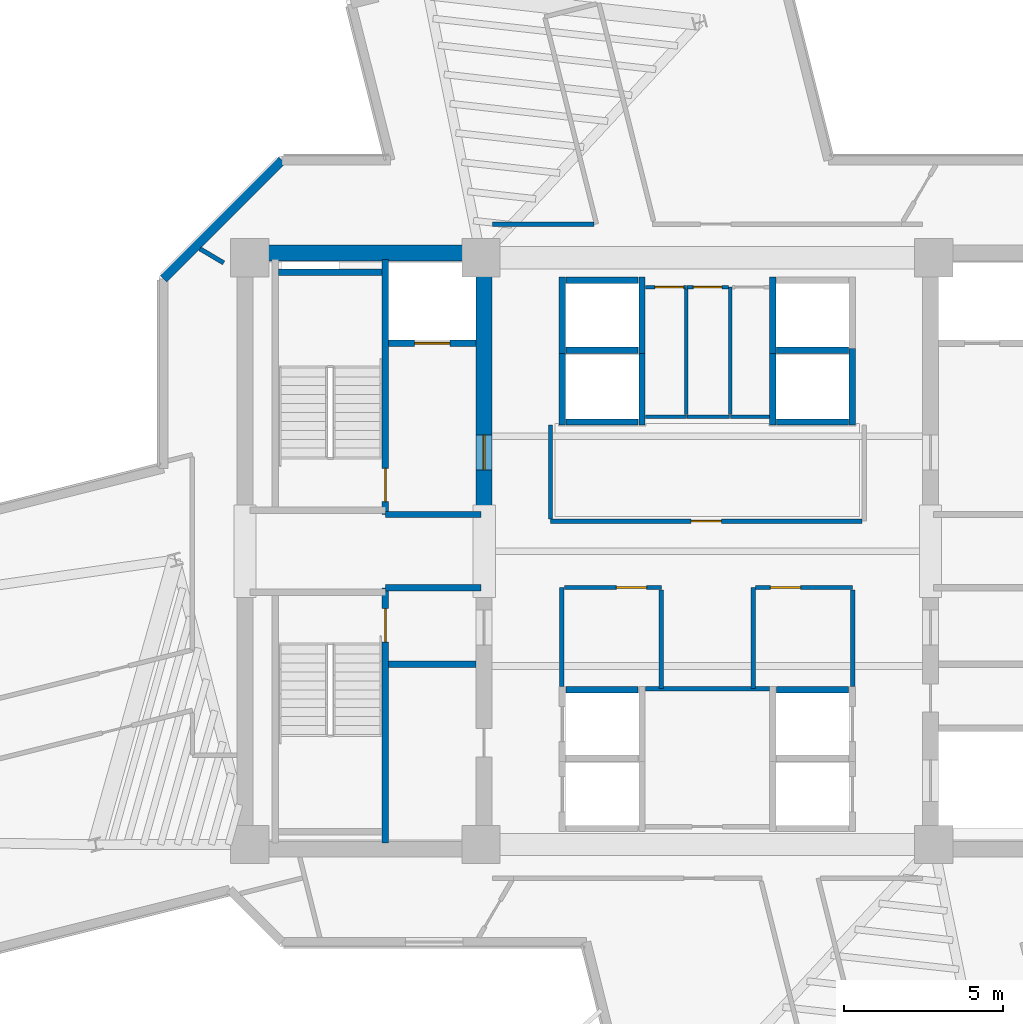
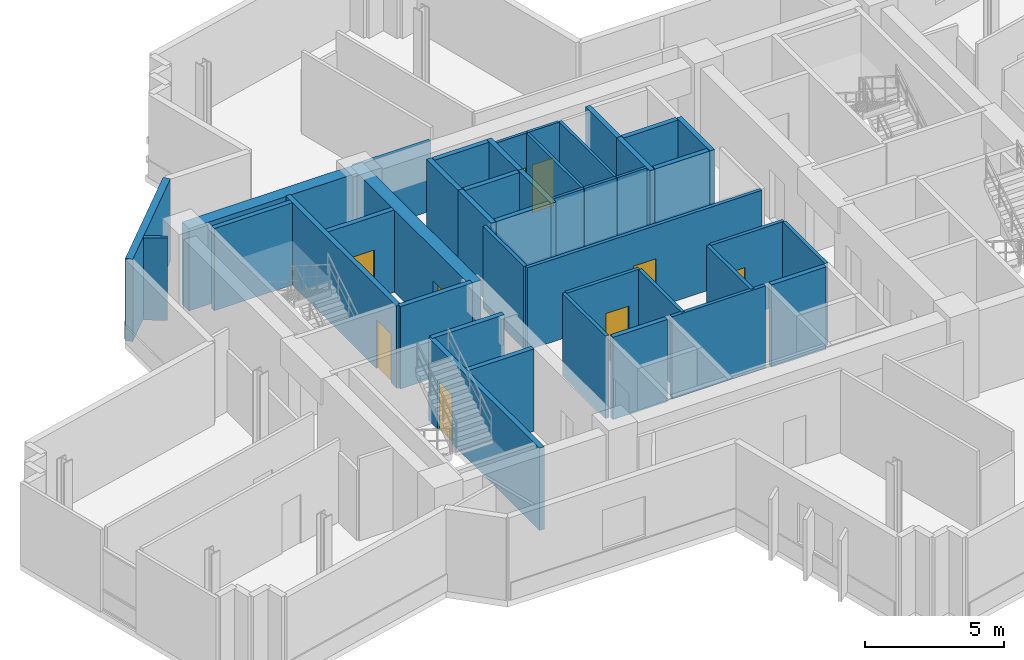
# One storey, part 7 of 13: 42 walls, 9 doors, 9 openings.
"""IFC4 building model written with IfcOpenShell, lengths in metres."""

from ifc_helpers import new_model, si_unit, direction, frame, frame_2d, origin, place, context, subcontext, project, spatial, rectangle, extrude, source, transform, mapped, material, layer, layer_set, type_object, element, fill, save


model = new_model("IFC4")

# Units and contexts
model_context = context("Model", 3, precision=1e-05, world=origin(), true_north=direction((0.0, 1.0)))
body_context = subcontext(model_context, "Body", "Model", "MODEL_VIEW")
ifc_project = project(units=[si_unit("LENGTHUNIT", "METRE"), si_unit("AREAUNIT", "SQUARE_METRE"), si_unit("VOLUMEUNIT", "CUBIC_METRE"), si_unit("PLANEANGLEUNIT", "RADIAN"), si_unit("MASSUNIT", "GRAM", prefix="KILO")], contexts=[model_context])

# Site, building, storey
site_placement = place(None, origin())
site = spatial("IfcSite", under=ifc_project, at=site_placement, CompositionType="ELEMENT")
building_placement = place(site_placement, origin())
building = spatial("IfcBuilding", under=site, at=building_placement, Name="Zahravan Cultural Tower", CompositionType="ELEMENT")
storey_placement = place(building_placement, frame((0.0, 0.0, 186.300048828125)))
storey = spatial("IfcBuildingStorey", under=building, at=storey_placement, Name="L43", CompositionType="ELEMENT", Elevation=186.300048828125)

# Wall, opening, door
ifc_material_1 = material(Name="Concrete C60/75", Category="concrete")
ifc_layer_1 = layer(ifc_material_1, 0.5)
ifc_layer_set_1 = layer_set([ifc_layer_1], Name="Concrete C60/75")
wall_type_1 = type_object("IfcWallType", Name="CW-SHEAR-500-C60", PredefinedType="SHEAR", material=ifc_layer_set_1)
wall_1_placement = place(storey_placement, frame((29.0, 28.050048828125, 0.0), z_axis=(0.0, 0.0, 1.0), x_axis=(0.0, 1.0, 0.0)))
wall_1 = element("IfcWall", 1, at=wall_1_placement, inside=storey, type_object=wall_type_1, Name="L43 Core Shear Wall CW-W-EN-L43", PredefinedType="SHEAR", context=body_context, shape_type="SweptSolid", body=[
    extrude(rectangle(XDim=8.550048828125, YDim=0.5, at=frame_2d((4.27490234375, 0.0))), origin(), (0.0, 0.0, 1.0), 3.619873046875),
])
opening_1_placement = place(wall_1_placement, frame((1.5, 0.0, 0.0)))
opening_1 = element("IfcOpeningElement", 2, at=opening_1_placement, cuts=wall_1, Name="Opening D-L43-05", PredefinedType="OPENING", context=body_context, shape_type="SweptSolid", body=[
    extrude(rectangle(XDim=1.10009765625, YDim=2.199951171875, at=frame_2d((0.550048828125, 1.10009765625))), frame((0.0, 0.260009765625, 0.0), z_axis=(0.0, -1.0, 0.0), x_axis=(1.0, 0.0, 0.0)), (0.0, 0.0, 1.0), 0.52001953125),
])
ifc_material_2 = material(Name="Steel ASTM A572 Grade 50", Category="steel")
door_type_1 = type_object("IfcDoorType", Name="DR-LOBBY-1100", OperationType="NOTDEFINED", PredefinedType="DOOR", material=ifc_material_2)
shared_shape_1 = source(origin(), body_context, "Body", "SweptSolid", [
    extrude(rectangle(XDim=1.10009765625, YDim=2.199951171875, at=frame_2d((0.550048828125, 1.10009765625))), frame((0.0, 0.02490234375, 0.0), z_axis=(0.0, -1.0, 0.0), x_axis=(1.0, 0.0, 0.0)), (0.0, 0.0, 1.0), 0.050048828125),
])
door_1_placement = place(opening_1_placement, origin())
door_1 = element("IfcDoor", 3, at=door_1_placement, inside=storey, type_object=door_type_1, Name="L43 Door D-L43-05", OperationType="SINGLE_SWING_LEFT", OverallHeight=2.199951171875, OverallWidth=1.10009765625, PredefinedType="DOOR", context=body_context, shape_type="MappedRepresentation", body=[
    mapped(shared_shape_1, transform((0.0, 0.0, 0.0), x_axis=(1.0, 0.0, 0.0), y_axis=(0.0, 1.0, 0.0), z_axis=(0.0, 0.0, 1.0), scale=1.0)),
])
fill(opening_1, door_1)

ifc_material_3 = material(Name="Gypsum plasterboard partition")
ifc_layer_2 = layer(ifc_material_3, 0.139892578125)
ifc_layer_set_2 = layer_set([ifc_layer_2], Name="Gypsum plasterboard partition")
wall_type_2 = type_object("IfcWallType", Name="W-PART-140", PredefinedType="PARTITIONING", material=ifc_layer_set_2)
wall_2_placement = place(storey_placement, frame((31.514892578125, 25.860107421875, 0.0), z_axis=(0.0, 0.0, 1.0), x_axis=(1.0, 0.0, 0.0)))
wall_2 = element("IfcWall", 4, at=wall_2_placement, inside=storey, type_object=wall_type_2, Name="L43 Interior Wall 063", PredefinedType="PARTITIONING", context=body_context, shape_type="SweptSolid", body=[
    extrude(rectangle(XDim=3.045166015625, YDim=0.139892578125, at=frame_2d((1.5224609375, 0.0))), origin(), (0.0, 0.0, 1.0), 3.619873046875),
])
opening_2_placement = place(wall_2_placement, frame((1.634033203125, 0.0, 0.0)))
opening_2 = element("IfcOpeningElement", 5, at=opening_2_placement, cuts=wall_2, Name="Opening D-L43-11", PredefinedType="OPENING", context=body_context, shape_type="SweptSolid", body=[
    extrude(rectangle(XDim=0.949951171875, YDim=2.14990234375, at=frame_2d((0.47509765625, 1.074951171875))), frame((0.0, 0.079833984375, 0.0), z_axis=(0.0, -1.0, 0.0), x_axis=(1.0, 0.0, 0.0)), (0.0, 0.0, 1.0), 0.159912109375),
])
ifc_material_4 = material(Name="Anodised bronze-aluminium mullion", Category="aluminium")
door_type_2 = type_object("IfcDoorType", Name="DR-ROOM-950", OperationType="NOTDEFINED", PredefinedType="DOOR", material=ifc_material_4)
shared_shape_2 = source(origin(), body_context, "Body", "SweptSolid", [
    extrude(rectangle(XDim=0.949951171875, YDim=2.14990234375, at=frame_2d((0.47509765625, 1.074951171875))), frame((0.0, 0.02490234375, 0.0), z_axis=(0.0, -1.0, 0.0), x_axis=(1.0, 0.0, 0.0)), (0.0, 0.0, 1.0), 0.050048828125),
])
door_2_placement = place(opening_2_placement, origin())
door_2 = element("IfcDoor", 6, at=door_2_placement, inside=storey, type_object=door_type_2, Name="L43 Door D-L43-11", OperationType="SINGLE_SWING_LEFT", OverallHeight=2.14990234375, OverallWidth=0.949951171875, PredefinedType="DOOR", context=body_context, shape_type="MappedRepresentation", body=[
    mapped(shared_shape_2, transform((0.0, 0.0, 0.0), x_axis=(1.0, 0.0, 0.0), y_axis=(0.0, 1.0, 0.0), z_axis=(0.0, 0.0, 1.0), scale=1.0)),
])
fill(opening_2, door_2)

wall_3_placement = place(storey_placement, frame((37.514892578125, 25.860107421875, 0.0), z_axis=(0.0, 0.0, 1.0), x_axis=(1.0, 0.0, 0.0)))
wall_3 = element("IfcWall", 7, at=wall_3_placement, inside=storey, type_object=wall_type_2, Name="L43 Interior Wall 066", PredefinedType="PARTITIONING", context=body_context, shape_type="SweptSolid", body=[
    extrude(rectangle(XDim=3.045166015625, YDim=0.139892578125, at=frame_2d((1.5224609375, 0.0))), origin(), (0.0, 0.0, 1.0), 3.619873046875),
])
opening_3_placement = place(wall_3_placement, frame((0.4609375, 0.0, 0.0)))
opening_3 = element("IfcOpeningElement", 8, at=opening_3_placement, cuts=wall_3, Name="Opening D-L43-12", PredefinedType="OPENING", context=body_context, shape_type="SweptSolid", body=[
    extrude(rectangle(XDim=0.949951171875, YDim=2.14990234375, at=frame_2d((0.47509765625, 1.074951171875))), frame((0.0, 0.079833984375, 0.0), z_axis=(0.0, -1.0, 0.0), x_axis=(1.0, 0.0, 0.0)), (0.0, 0.0, 1.0), 0.159912109375),
])
door_3_placement = place(opening_3_placement, origin())
door_3 = element("IfcDoor", 9, at=door_3_placement, inside=storey, type_object=door_type_2, Name="L43 Door D-L43-12", OperationType="SINGLE_SWING_RIGHT", OverallHeight=2.14990234375, OverallWidth=0.949951171875, PredefinedType="DOOR", context=body_context, shape_type="MappedRepresentation", body=[
    mapped(shared_shape_2, transform((0.0, 0.0, 0.0), x_axis=(1.0, 0.0, 0.0), y_axis=(0.0, 1.0, 0.0), z_axis=(0.0, 0.0, 1.0), scale=1.0)),
])
fill(opening_3, door_3)

wall_4_placement = place(storey_placement, frame((40.844970703125, 27.93994140625, 0.0), z_axis=(0.0, 0.0, 1.0), x_axis=(-1.0, 0.0, 0.0)))
wall_4 = element("IfcWall", 10, at=wall_4_placement, inside=storey, type_object=wall_type_2, Name="L43 Interior Wall 077", PredefinedType="PARTITIONING", context=body_context, shape_type="SweptSolid", body=[
    extrude(rectangle(XDim=9.764892578125, YDim=0.139892578125, at=frame_2d((4.88232421875, 0.0))), origin(), (0.0, 0.0, 1.0), 3.619873046875),
])
opening_4_placement = place(wall_4_placement, frame((4.407470703125, 0.0, 0.0)))
opening_4 = element("IfcOpeningElement", 11, at=opening_4_placement, cuts=wall_4, Name="Opening D-L43-16", PredefinedType="OPENING", context=body_context, shape_type="SweptSolid", body=[
    extrude(rectangle(XDim=0.949951171875, YDim=2.14990234375, at=frame_2d((0.47509765625, 1.074951171875))), frame((0.0, 0.079833984375, 0.0), z_axis=(0.0, -1.0, 0.0), x_axis=(1.0, 0.0, 0.0)), (0.0, 0.0, 1.0), 0.159912109375),
])
door_4_placement = place(opening_4_placement, origin())
door_4 = element("IfcDoor", 12, at=door_4_placement, inside=storey, type_object=door_type_2, Name="L43 Door D-L43-16", OperationType="SINGLE_SWING_RIGHT", OverallHeight=2.14990234375, OverallWidth=0.949951171875, PredefinedType="DOOR", context=body_context, shape_type="MappedRepresentation", body=[
    mapped(shared_shape_2, transform((0.0, 0.0, 0.0), x_axis=(1.0, 0.0, 0.0), y_axis=(0.0, 1.0, 0.0), z_axis=(0.0, 0.0, 1.0), scale=1.0)),
])
fill(opening_4, door_4)

ifc_material_5 = material(Name="Concrete C45/55", Category="concrete")
ifc_layer_3 = layer(ifc_material_5, 0.199951171875)
ifc_layer_set_3 = layer_set([ifc_layer_3], Name="Concrete C45/55")
wall_type_3 = type_object("IfcWallType", Name="W-SHAFT-200", PredefinedType="SOLIDWALL", material=ifc_layer_set_3)
wall_5_placement = place(storey_placement, frame((25.89990234375, 17.85009765625, 0.0), z_axis=(0.0, 0.0, 1.0), x_axis=(0.0, 1.0, 0.0)))
wall_5 = element("IfcWall", 13, at=wall_5_placement, inside=storey, type_object=wall_type_3, Name="L43 Interior Wall 005", PredefinedType="SOLIDWALL", context=body_context, shape_type="SweptSolid", body=[
    extrude(rectangle(XDim=8.0, YDim=0.199951171875, at=frame_2d((4.0, 0.0))), origin(), (0.0, 0.0, 1.0), 3.619873046875),
])
opening_5_placement = place(wall_5_placement, frame((6.300048828125, 0.0, 0.0)))
opening_5 = element("IfcOpeningElement", 14, at=opening_5_placement, cuts=wall_5, Name="Opening D-L43-04", PredefinedType="OPENING", context=body_context, shape_type="SweptSolid", body=[
    extrude(rectangle(XDim=1.050048828125, YDim=2.14990234375, at=frame_2d((0.52490234375, 1.074951171875))), frame((0.0, 0.10986328125, 0.0), z_axis=(0.0, -1.0, 0.0), x_axis=(1.0, 0.0, 0.0)), (0.0, 0.0, 1.0), 0.219970703125),
])
door_type_3 = type_object("IfcDoorType", Name="DR-STAIR-1050", OperationType="NOTDEFINED", PredefinedType="DOOR", material=ifc_material_2)
shared_shape_3 = source(origin(), body_context, "Body", "SweptSolid", [
    extrude(rectangle(XDim=1.050048828125, YDim=2.14990234375, at=frame_2d((0.52490234375, 1.074951171875))), frame((0.0, 0.02490234375, 0.0), z_axis=(0.0, -1.0, 0.0), x_axis=(1.0, 0.0, 0.0)), (0.0, 0.0, 1.0), 0.050048828125),
])
door_5_placement = place(opening_5_placement, origin())
door_5 = element("IfcDoor", 15, at=door_5_placement, inside=storey, type_object=door_type_3, Name="L43 Door D-L43-04", OperationType="SINGLE_SWING_RIGHT", OverallHeight=2.14990234375, OverallWidth=1.050048828125, PredefinedType="DOOR", context=body_context, shape_type="MappedRepresentation", body=[
    mapped(shared_shape_3, transform((0.0, 0.0, 0.0), x_axis=(1.0, 0.0, 0.0), y_axis=(0.0, 1.0, 0.0), z_axis=(0.0, 0.0, 1.0), scale=1.0)),
])
fill(opening_5, door_5)

wall_6_placement = place(storey_placement, frame((25.89990234375, 28.14990234375, 0.0), z_axis=(0.0, 0.0, 1.0), x_axis=(0.0, 1.0, 0.0)))
wall_6 = element("IfcWall", 16, at=wall_6_placement, inside=storey, type_object=wall_type_3, Name="L43 Interior Wall 006", PredefinedType="SOLIDWALL", context=body_context, shape_type="SweptSolid", body=[
    extrude(rectangle(XDim=8.0, YDim=0.199951171875, at=frame_2d((4.0, 0.0))), origin(), (0.0, 0.0, 1.0), 3.619873046875),
])
opening_6_placement = place(wall_6_placement, frame((0.39990234375, 0.0, 0.0)))
opening_6 = element("IfcOpeningElement", 17, at=opening_6_placement, cuts=wall_6, Name="Opening D-L43-01", PredefinedType="OPENING", context=body_context, shape_type="SweptSolid", body=[
    extrude(rectangle(XDim=1.050048828125, YDim=2.14990234375, at=frame_2d((0.52490234375, 1.074951171875))), frame((0.0, 0.10986328125, 0.0), z_axis=(0.0, -1.0, 0.0), x_axis=(1.0, 0.0, 0.0)), (0.0, 0.0, 1.0), 0.219970703125),
])
door_6_placement = place(opening_6_placement, origin())
door_6 = element("IfcDoor", 18, at=door_6_placement, inside=storey, type_object=door_type_3, Name="L43 Door D-L43-01", OperationType="SINGLE_SWING_LEFT", OverallHeight=2.14990234375, OverallWidth=1.050048828125, PredefinedType="DOOR", context=body_context, shape_type="MappedRepresentation", body=[
    mapped(shared_shape_3, transform((0.0, 0.0, 0.0), x_axis=(1.0, 0.0, 0.0), y_axis=(0.0, 1.0, 0.0), z_axis=(0.0, 0.0, 1.0), scale=1.0)),
])
fill(opening_6, door_6)

wall_7_placement = place(storey_placement, frame((26.0, 33.52001953125, 0.0), z_axis=(0.0, 0.0, 1.0), x_axis=(1.0, 0.0, 0.0)))
wall_7 = element("IfcWall", 19, at=wall_7_placement, inside=storey, type_object=wall_type_3, Name="L43 Interior Wall 021", PredefinedType="SOLIDWALL", context=body_context, shape_type="SweptSolid", body=[
    extrude(rectangle(XDim=2.75, YDim=0.199951171875, at=frame_2d((1.375, 0.0))), origin(), (0.0, 0.0, 1.0), 3.619873046875),
])
opening_7_placement = place(wall_7_placement, frame((0.820068359375, 0.0, 0.0)))
opening_7 = element("IfcOpeningElement", 20, at=opening_7_placement, cuts=wall_7, Name="Opening LD-L43-01", PredefinedType="OPENING", context=body_context, shape_type="SweptSolid", body=[
    extrude(rectangle(XDim=1.10009765625, YDim=2.14990234375, at=frame_2d((0.550048828125, 1.074951171875))), frame((0.0, 0.10986328125, 0.0), z_axis=(0.0, -1.0, 0.0), x_axis=(1.0, 0.0, 0.0)), (0.0, 0.0, 1.0), 0.219970703125),
])
door_type_4 = type_object("IfcDoorType", Name="DR-LIFT-1100", OperationType="DOUBLE_DOOR_SLIDING", PredefinedType="DOOR", material=ifc_material_2)
shared_shape_4 = source(origin(), body_context, "Body", "SweptSolid", [
    extrude(rectangle(XDim=1.10009765625, YDim=2.14990234375, at=frame_2d((0.550048828125, 1.074951171875))), frame((0.0, 0.02490234375, 0.0), z_axis=(0.0, -1.0, 0.0), x_axis=(1.0, 0.0, 0.0)), (0.0, 0.0, 1.0), 0.050048828125),
])
door_7_placement = place(opening_7_placement, origin())
door_7 = element("IfcDoor", 21, at=door_7_placement, inside=storey, type_object=door_type_4, Name="L43 Door LD-L43-01", OperationType="DOUBLE_DOOR_SLIDING", OverallHeight=2.14990234375, OverallWidth=1.10009765625, PredefinedType="DOOR", context=body_context, shape_type="MappedRepresentation", body=[
    mapped(shared_shape_4, transform((0.0, 0.0, 0.0), x_axis=(1.0, 0.0, 0.0), y_axis=(0.0, 1.0, 0.0), z_axis=(0.0, 0.0, 1.0), scale=1.0)),
])
fill(opening_7, door_7)

ifc_layer_4 = layer(ifc_material_3, 0.114990234375)
ifc_layer_set_4 = layer_set([ifc_layer_4], Name="Gypsum plasterboard partition")
wall_type_4 = type_object("IfcWallType", Name="W-WC-115", PredefinedType="PARTITIONING", material=ifc_layer_set_4)
wall_8_placement = place(storey_placement, frame((34.054931640625, 35.280029296875, 0.0), z_axis=(0.0, 0.0, 1.0), x_axis=(1.0, 0.0, 0.0)))
wall_8 = element("IfcWall", 22, at=wall_8_placement, inside=storey, type_object=wall_type_4, Name="L43 Interior Wall 058", PredefinedType="PARTITIONING", context=body_context, shape_type="SweptSolid", body=[
    extrude(rectangle(XDim=1.28515625, YDim=0.114990234375, at=frame_2d((0.642578125, 0.0))), origin(), (0.0, 0.0, 1.0), 3.619873046875),
])
opening_8_placement = place(wall_8_placement, frame((0.30029296875, 0.0, 0.0)))
opening_8 = element("IfcOpeningElement", 23, at=opening_8_placement, cuts=wall_8, Name="Opening D-L43-13", PredefinedType="OPENING", context=body_context, shape_type="SweptSolid", body=[
    extrude(rectangle(XDim=0.89990234375, YDim=2.10009765625, at=frame_2d((0.449951171875, 1.050048828125))), frame((0.0, 0.0673828125, 0.0), z_axis=(0.0, -1.0, 0.0), x_axis=(1.0, 0.0, 0.0)), (0.0, 0.0, 1.0), 0.135009765625),
])
door_type_5 = type_object("IfcDoorType", Name="DR-WC-900", OperationType="NOTDEFINED", PredefinedType="DOOR", material=ifc_material_4)
shared_shape_5 = source(origin(), body_context, "Body", "SweptSolid", [
    extrude(rectangle(XDim=0.89990234375, YDim=2.10009765625, at=frame_2d((0.449951171875, 1.050048828125))), frame((0.0, 0.02490234375, 0.0), z_axis=(0.0, -1.0, 0.0), x_axis=(1.0, 0.0, 0.0)), (0.0, 0.0, 1.0), 0.050048828125),
])
door_8_placement = place(opening_8_placement, origin())
door_8 = element("IfcDoor", 24, at=door_8_placement, inside=storey, type_object=door_type_5, Name="L43 Door D-L43-13", OperationType="SINGLE_SWING_LEFT", OverallHeight=2.10009765625, OverallWidth=0.89990234375, PredefinedType="DOOR", context=body_context, shape_type="MappedRepresentation", body=[
    mapped(shared_shape_5, transform((0.0, 0.0, 0.0), x_axis=(1.0, 0.0, 0.0), y_axis=(0.0, 1.0, 0.0), z_axis=(0.0, 0.0, 1.0), scale=1.0)),
])
fill(opening_8, door_8)

wall_9_placement = place(storey_placement, frame((35.360107421875, 35.280029296875, 0.0), z_axis=(0.0, 0.0, 1.0), x_axis=(1.0, 0.0, 0.0)))
wall_9 = element("IfcWall", 25, at=wall_9_placement, inside=storey, type_object=wall_type_4, Name="L43 Interior Wall 061", PredefinedType="PARTITIONING", context=body_context, shape_type="SweptSolid", body=[
    extrude(rectangle(XDim=1.29736328125, YDim=0.114990234375, at=frame_2d((0.648681640625, 0.0))), origin(), (0.0, 0.0, 1.0), 3.619873046875),
])
opening_9_placement = place(wall_9_placement, frame((0.19873046875, 0.0, 0.0)))
opening_9 = element("IfcOpeningElement", 26, at=opening_9_placement, cuts=wall_9, Name="Opening D-L43-14", PredefinedType="OPENING", context=body_context, shape_type="SweptSolid", body=[
    extrude(rectangle(XDim=0.89990234375, YDim=2.10009765625, at=frame_2d((0.449951171875, 1.050048828125))), frame((0.0, 0.0673828125, 0.0), z_axis=(0.0, -1.0, 0.0), x_axis=(1.0, 0.0, 0.0)), (0.0, 0.0, 1.0), 0.135009765625),
])
door_9_placement = place(opening_9_placement, origin())
door_9 = element("IfcDoor", 27, at=door_9_placement, inside=storey, type_object=door_type_5, Name="L43 Door D-L43-14", OperationType="SINGLE_SWING_RIGHT", OverallHeight=2.10009765625, OverallWidth=0.89990234375, PredefinedType="DOOR", context=body_context, shape_type="MappedRepresentation", body=[
    mapped(shared_shape_5, transform((0.0, 0.0, 0.0), x_axis=(1.0, 0.0, 0.0), y_axis=(0.0, 1.0, 0.0), z_axis=(0.0, 0.0, 1.0), scale=1.0)),
])
fill(opening_9, door_9)

# Walls
shared_shape_6 = source(origin(), body_context, "Body", "SweptSolid", [
    extrude(rectangle(XDim=7.0, YDim=0.5, at=frame_2d((3.5, 0.0))), origin(), (0.0, 0.0, 1.0), 3.619873046875),
])
wall_10_placement = place(storey_placement, frame((21.75, 36.35009765625, 0.0), z_axis=(0.0, 0.0, 1.0), x_axis=(1.0, 0.0, 0.0)))
element("IfcWall", 28, at=wall_10_placement, inside=storey, type_object=wall_type_1, Name="L43 Core Shear Wall CW-W-N-L43", PredefinedType="SHEAR", context=body_context, shape_type="MappedRepresentation", body=[
    mapped(shared_shape_6, transform((0.0, 0.0, 0.0), x_axis=(1.0, 0.0, 0.0), y_axis=(0.0, 1.0, 0.0), z_axis=(0.0, 0.0, 1.0), scale=1.0)),
])
ifc_material_6 = material(Name="Precast concrete C40/50", Category="concrete")
ifc_layer_5 = layer(ifc_material_6, 0.280029296875)
ifc_layer_set_5 = layer_set([ifc_layer_5], Name="Precast concrete C40/50")
wall_type_5 = type_object("IfcWallType", Name="EW-TC-280", PredefinedType="SOLIDWALL", material=ifc_layer_set_5)
shared_shape_7 = source(origin(), body_context, "Body", "SweptSolid", [
    extrude(rectangle(XDim=5.258056640625, YDim=0.280029296875, at=frame_2d((2.62890625, 0.0))), origin(), (0.0, 0.0, 1.0), 3.619873046875),
])
wall_11_placement = place(storey_placement, frame((18.93994140625, 35.5419921875, 0.0), z_axis=(0.0, 0.0, 1.0), x_axis=(0.707106781187, 0.707106781187, 0.0)))
element("IfcWall", 29, at=wall_11_placement, inside=storey, type_object=wall_type_5, Name="L43 Exterior Masonry Frame Wall 38", PredefinedType="SOLIDWALL", context=body_context, shape_type="MappedRepresentation", body=[
    mapped(shared_shape_7, transform((0.0, 0.0, 0.0), x_axis=(1.0, 0.0, 0.0), y_axis=(0.0, 1.0, 0.0), z_axis=(0.0, 0.0, 1.0), scale=1.0)),
])
shared_shape_8 = source(origin(), body_context, "Body", "SweptSolid", [
    extrude(rectangle(XDim=3.0, YDim=0.199951171875, at=frame_2d((1.5, 0.0))), origin(), (0.0, 0.0, 1.0), 3.619873046875),
])
for number, where, z_axis, x_axis, name in (
    (30, (25.89990234375, 25.85009765625, 0.0), (0.0, 0.0, 1.0), (1.0, 0.0, 0.0), "L43 Interior Wall 010"),
    (31, (25.89990234375, 28.14990234375, 0.0), (0.0, 0.0, 1.0), (1.0, 0.0, 0.0), "L43 Interior Wall 012"),
):
    element("IfcWall", number, at=place(storey_placement, frame(where, z_axis=z_axis, x_axis=x_axis)), inside=storey, type_object=wall_type_3, Name=name, PredefinedType="SOLIDWALL", context=body_context, shape_type="MappedRepresentation", body=[
        mapped(shared_shape_8, transform((0.0, 0.0, 0.0), x_axis=(1.0, 0.0, 0.0), y_axis=(0.0, 1.0, 0.0), z_axis=(0.0, 0.0, 1.0), scale=1.0)),
    ])
shared_shape_9 = source(origin(), body_context, "Body", "SweptSolid", [
    extrude(rectangle(XDim=3.25, YDim=0.199951171875, at=frame_2d((1.625, 0.0))), origin(), (0.0, 0.0, 1.0), 3.619873046875),
])
wall_12_placement = place(storey_placement, frame((22.550048828125, 35.75, 0.0), z_axis=(0.0, 0.0, 1.0), x_axis=(1.0, 0.0, 0.0)))
element("IfcWall", 32, at=wall_12_placement, inside=storey, type_object=wall_type_3, Name="L43 Interior Wall 017", PredefinedType="SOLIDWALL", context=body_context, shape_type="MappedRepresentation", body=[
    mapped(shared_shape_9, transform((0.0, 0.0, 0.0), x_axis=(1.0, 0.0, 0.0), y_axis=(0.0, 1.0, 0.0), z_axis=(0.0, 0.0, 1.0), scale=1.0)),
])
shared_shape_10 = source(origin(), body_context, "Body", "SweptSolid", [
    extrude(rectangle(XDim=2.75, YDim=0.199951171875, at=frame_2d((1.375, 0.0))), origin(), (0.0, 0.0, 1.0), 3.619873046875),
])
wall_13_placement = place(storey_placement, frame((26.0, 23.449951171875, 0.0), z_axis=(0.0, 0.0, 1.0), x_axis=(1.0, 0.0, 0.0)))
element("IfcWall", 33, at=wall_13_placement, inside=storey, type_object=wall_type_3, Name="L43 Interior Wall 023", PredefinedType="SOLIDWALL", context=body_context, shape_type="MappedRepresentation", body=[
    mapped(shared_shape_10, transform((0.0, 0.0, 0.0), x_axis=(1.0, 0.0, 0.0), y_axis=(0.0, 1.0, 0.0), z_axis=(0.0, 0.0, 1.0), scale=1.0)),
])
shared_shape_11 = source(origin(), body_context, "Body", "SweptSolid", [
    extrude(rectangle(XDim=2.400146484375, YDim=0.199951171875, at=frame_2d((1.2001953125, 0.0))), origin(), (0.0, 0.0, 1.0), 3.619873046875),
])
for number, where, z_axis, x_axis, name in (
    (34, (31.449951171875, 33.199951171875, 0.0), (0.0, 0.0, 1.0), (0.0, 1.0, 0.0), "L43 Interior Wall 026"),
    (35, (33.949951171875, 33.199951171875, 0.0), (0.0, 0.0, 1.0), (0.0, 1.0, 0.0), "L43 Interior Wall 027"),
    (36, (31.449951171875, 30.949951171875, 0.0), (0.0, 0.0, 1.0), (0.0, 1.0, 0.0), "L43 Interior Wall 030"),
    (37, (33.949951171875, 30.949951171875, 0.0), (0.0, 0.0, 1.0), (0.0, 1.0, 0.0), "L43 Interior Wall 031"),
    (38, (38.050048828125, 33.199951171875, 0.0), (0.0, 0.0, 1.0), (0.0, 1.0, 0.0), "L43 Interior Wall 033"),
    (39, (38.050048828125, 30.949951171875, 0.0), (0.0, 0.0, 1.0), (0.0, 1.0, 0.0), "L43 Interior Wall 037"),
    (40, (40.550048828125, 30.949951171875, 0.0), (0.0, 0.0, 1.0), (0.0, 1.0, 0.0), "L43 Interior Wall 038"),
):
    element("IfcWall", number, at=place(storey_placement, frame(where, z_axis=z_axis, x_axis=x_axis)), inside=storey, type_object=wall_type_3, Name=name, PredefinedType="SOLIDWALL", context=body_context, shape_type="MappedRepresentation", body=[
        mapped(shared_shape_11, transform((0.0, 0.0, 0.0), x_axis=(1.0, 0.0, 0.0), y_axis=(0.0, 1.0, 0.0), z_axis=(0.0, 0.0, 1.0), scale=1.0)),
    ])
shared_shape_12 = source(origin(), body_context, "Body", "SweptSolid", [
    extrude(rectangle(XDim=2.260009765625, YDim=0.199951171875, at=frame_2d((1.1298828125, 0.0))), origin(), (0.0, 0.0, 1.0), 3.619873046875),
])
for number, where, z_axis, x_axis, name in (
    (41, (31.570068359375, 33.300048828125, 0.0), (0.0, 0.0, 1.0), (1.0, 0.0, 0.0), "L43 Interior Wall 028"),
    (42, (31.570068359375, 35.5, 0.0), (0.0, 0.0, 1.0), (1.0, 0.0, 0.0), "L43 Interior Wall 029"),
    (43, (31.570068359375, 31.050048828125, 0.0), (0.0, 0.0, 1.0), (1.0, 0.0, 0.0), "L43 Interior Wall 032"),
    (44, (38.169921875, 33.300048828125, 0.0), (0.0, 0.0, 1.0), (1.0, 0.0, 0.0), "L43 Interior Wall 035"),
    (45, (38.169921875, 31.050048828125, 0.0), (0.0, 0.0, 1.0), (1.0, 0.0, 0.0), "L43 Interior Wall 039"),
    (46, (31.570068359375, 22.64990234375, 0.0), (0.0, 0.0, 1.0), (1.0, 0.0, 0.0), "L43 Interior Wall 043"),
    (47, (38.169921875, 22.64990234375, 0.0), (0.0, 0.0, 1.0), (1.0, 0.0, 0.0), "L43 Interior Wall 050"),
):
    element("IfcWall", number, at=place(storey_placement, frame(where, z_axis=z_axis, x_axis=x_axis)), inside=storey, type_object=wall_type_3, Name=name, PredefinedType="SOLIDWALL", context=body_context, shape_type="MappedRepresentation", body=[
        mapped(shared_shape_12, transform((0.0, 0.0, 0.0), x_axis=(1.0, 0.0, 0.0), y_axis=(0.0, 1.0, 0.0), z_axis=(0.0, 0.0, 1.0), scale=1.0)),
    ])
shared_shape_13 = source(origin(), body_context, "Body", "SweptSolid", [
    extrude(rectangle(XDim=1.22509765625, YDim=0.114990234375, at=frame_2d((0.612548828125, 0.0))), origin(), (0.0, 0.0, 1.0), 3.619873046875),
])
wall_14_placement = place(storey_placement, frame((37.945068359375, 31.219970703125, 0.0), z_axis=(0.0, 0.0, 1.0), x_axis=(-1.0, 0.0, 0.0)))
element("IfcWall", 48, at=wall_14_placement, inside=storey, type_object=wall_type_4, Name="L43 Interior Wall 054", PredefinedType="PARTITIONING", context=body_context, shape_type="MappedRepresentation", body=[
    mapped(shared_shape_13, transform((0.0, 0.0, 0.0), x_axis=(1.0, 0.0, 0.0), y_axis=(0.0, 1.0, 0.0), z_axis=(0.0, 0.0, 1.0), scale=1.0)),
])
shared_shape_14 = source(origin(), body_context, "Body", "SweptSolid", [
    extrude(rectangle(XDim=3.99755859375, YDim=0.114990234375, at=frame_2d((1.998779296875, 0.0))), origin(), (0.0, 0.0, 1.0), 3.619873046875),
])
wall_15_placement = place(storey_placement, frame((36.719970703125, 31.282470703125, 0.0), z_axis=(0.0, 0.0, 1.0), x_axis=(0.0, 1.0, 0.0)))
element("IfcWall", 49, at=wall_15_placement, inside=storey, type_object=wall_type_4, Name="L43 Interior Wall 055", PredefinedType="PARTITIONING", context=body_context, shape_type="MappedRepresentation", body=[
    mapped(shared_shape_14, transform((0.0, 0.0, 0.0), x_axis=(1.0, 0.0, 0.0), y_axis=(0.0, 1.0, 0.0), z_axis=(0.0, 0.0, 1.0), scale=1.0)),
])
shared_shape_15 = source(origin(), body_context, "Body", "SweptSolid", [
    extrude(rectangle(XDim=1.28515625, YDim=0.114990234375, at=frame_2d((0.642578125, 0.0))), origin(), (0.0, 0.0, 1.0), 3.619873046875),
])
wall_16_placement = place(storey_placement, frame((35.340087890625, 31.219970703125, 0.0), z_axis=(0.0, 0.0, 1.0), x_axis=(-1.0, 0.0, 0.0)))
element("IfcWall", 50, at=wall_16_placement, inside=storey, type_object=wall_type_4, Name="L43 Interior Wall 057", PredefinedType="PARTITIONING", context=body_context, shape_type="MappedRepresentation", body=[
    mapped(shared_shape_15, transform((0.0, 0.0, 0.0), x_axis=(1.0, 0.0, 0.0), y_axis=(0.0, 1.0, 0.0), z_axis=(0.0, 0.0, 1.0), scale=1.0)),
])
shared_shape_16 = source(origin(), body_context, "Body", "SweptSolid", [
    extrude(rectangle(XDim=3.93505859375, YDim=0.114990234375, at=frame_2d((1.967529296875, 0.0))), origin(), (0.0, 0.0, 1.0), 3.619873046875),
])
wall_17_placement = place(storey_placement, frame((35.340087890625, 35.217529296875, 0.0), z_axis=(0.0, 0.0, 1.0), x_axis=(0.0, -1.0, 0.0)))
element("IfcWall", 51, at=wall_17_placement, inside=storey, type_object=wall_type_4, Name="L43 Interior Wall 059", PredefinedType="PARTITIONING", context=body_context, shape_type="MappedRepresentation", body=[
    mapped(shared_shape_16, transform((0.0, 0.0, 0.0), x_axis=(1.0, 0.0, 0.0), y_axis=(0.0, 1.0, 0.0), z_axis=(0.0, 0.0, 1.0), scale=1.0)),
])
shared_shape_17 = source(origin(), body_context, "Body", "SweptSolid", [
    extrude(rectangle(XDim=1.33984375, YDim=0.114990234375, at=frame_2d((0.669921875, 0.0))), origin(), (0.0, 0.0, 1.0), 3.619873046875),
])
wall_18_placement = place(storey_placement, frame((36.699951171875, 31.219970703125, 0.0), z_axis=(0.0, 0.0, 1.0), x_axis=(-1.0, 0.0, 0.0)))
element("IfcWall", 52, at=wall_18_placement, inside=storey, type_object=wall_type_4, Name="L43 Interior Wall 060", PredefinedType="PARTITIONING", context=body_context, shape_type="MappedRepresentation", body=[
    mapped(shared_shape_17, transform((0.0, 0.0, 0.0), x_axis=(1.0, 0.0, 0.0), y_axis=(0.0, 1.0, 0.0), z_axis=(0.0, 0.0, 1.0), scale=1.0)),
])
shared_shape_18 = source(origin(), body_context, "Body", "SweptSolid", [
    extrude(rectangle(XDim=2.93505859375, YDim=0.139892578125, at=frame_2d((1.467529296875, 0.0))), origin(), (0.0, 0.0, 1.0), 3.619873046875),
])
wall_19_placement = place(storey_placement, frame((31.080078125, 28.014892578125, 0.0), z_axis=(0.0, 0.0, 1.0), x_axis=(0.0, 1.0, 0.0)))
element("IfcWall", 53, at=wall_19_placement, inside=storey, type_object=wall_type_2, Name="L43 Interior Wall 078", PredefinedType="PARTITIONING", context=body_context, shape_type="MappedRepresentation", body=[
    mapped(shared_shape_18, transform((0.0, 0.0, 0.0), x_axis=(1.0, 0.0, 0.0), y_axis=(0.0, 1.0, 0.0), z_axis=(0.0, 0.0, 1.0), scale=1.0)),
])
shared_shape_19 = source(origin(), body_context, "Body", "SweptSolid", [
    extrude(rectangle(XDim=3.110107421875, YDim=0.139892578125, at=frame_2d((1.55517578125, 0.0))), origin(), (0.0, 0.0, 1.0), 3.619873046875),
])
wall_20_placement = place(storey_placement, frame((31.43994140625, 22.75, 0.0), z_axis=(0.0, 0.0, 1.0), x_axis=(0.0, 1.0, 0.0)))
element("IfcWall", 54, at=wall_20_placement, inside=storey, type_object=wall_type_2, Name="L43 Interior Wall 062", PredefinedType="PARTITIONING", context=body_context, shape_type="MappedRepresentation", body=[
    mapped(shared_shape_19, transform((0.0, 0.0, 0.0), x_axis=(1.0, 0.0, 0.0), y_axis=(0.0, 1.0, 0.0), z_axis=(0.0, 0.0, 1.0), scale=1.0)),
])
shared_shape_20 = source(origin(), body_context, "Body", "SweptSolid", [
    extrude(rectangle(XDim=3.034912109375, YDim=0.139892578125, at=frame_2d((1.517578125, 0.0))), origin(), (0.0, 0.0, 1.0), 3.619873046875),
])
wall_21_placement = place(storey_placement, frame((40.56005859375, 25.784912109375, 0.0), z_axis=(0.0, 0.0, 1.0), x_axis=(0.0, -1.0, 0.0)))
element("IfcWall", 55, at=wall_21_placement, inside=storey, type_object=wall_type_2, Name="L43 Interior Wall 067", PredefinedType="PARTITIONING", context=body_context, shape_type="MappedRepresentation", body=[
    mapped(shared_shape_20, transform((0.0, 0.0, 0.0), x_axis=(1.0, 0.0, 0.0), y_axis=(0.0, 1.0, 0.0), z_axis=(0.0, 0.0, 1.0), scale=1.0)),
])
shared_shape_21 = source(origin(), body_context, "Body", "SweptSolid", [
    extrude(rectangle(XDim=3.094970703125, YDim=0.139892578125, at=frame_2d((1.54736328125, 0.0))), origin(), (0.0, 0.0, 1.0), 3.619873046875),
])
wall_22_placement = place(storey_placement, frame((34.56005859375, 25.784912109375, 0.0), z_axis=(0.0, 0.0, 1.0), x_axis=(0.0, -1.0, 0.0)))
element("IfcWall", 56, at=wall_22_placement, inside=storey, type_object=wall_type_2, Name="L43 Interior Wall 064", PredefinedType="PARTITIONING", context=body_context, shape_type="MappedRepresentation", body=[
    mapped(shared_shape_21, transform((0.0, 0.0, 0.0), x_axis=(1.0, 0.0, 0.0), y_axis=(0.0, 1.0, 0.0), z_axis=(0.0, 0.0, 1.0), scale=1.0)),
])
shared_shape_22 = source(origin(), body_context, "Body", "SweptSolid", [
    extrude(rectangle(XDim=3.170166015625, YDim=0.139892578125, at=frame_2d((1.5849609375, 0.0))), origin(), (0.0, 0.0, 1.0), 3.619873046875),
])
wall_23_placement = place(storey_placement, frame((37.43994140625, 22.68994140625, 0.0), z_axis=(0.0, 0.0, 1.0), x_axis=(0.0, 1.0, 0.0)))
element("IfcWall", 57, at=wall_23_placement, inside=storey, type_object=wall_type_2, Name="L43 Interior Wall 065", PredefinedType="PARTITIONING", context=body_context, shape_type="MappedRepresentation", body=[
    mapped(shared_shape_22, transform((0.0, 0.0, 0.0), x_axis=(1.0, 0.0, 0.0), y_axis=(0.0, 1.0, 0.0), z_axis=(0.0, 0.0, 1.0), scale=1.0)),
])
shared_shape_23 = source(origin(), body_context, "Body", "SweptSolid", [
    extrude(rectangle(XDim=3.89013671875, YDim=0.139892578125, at=frame_2d((1.945068359375, 0.0))), origin(), (0.0, 0.0, 1.0), 3.619873046875),
])
wall_24_placement = place(storey_placement, frame((34.054931640625, 22.679931640625, 0.0), z_axis=(0.0, 0.0, 1.0), x_axis=(1.0, 0.0, 0.0)))
element("IfcWall", 58, at=wall_24_placement, inside=storey, type_object=wall_type_2, Name="L43 Interior Wall 074", PredefinedType="PARTITIONING", context=body_context, shape_type="MappedRepresentation", body=[
    mapped(shared_shape_23, transform((0.0, 0.0, 0.0), x_axis=(1.0, 0.0, 0.0), y_axis=(0.0, 1.0, 0.0), z_axis=(0.0, 0.0, 1.0), scale=1.0)),
])
shared_shape_24 = source(origin(), body_context, "Body", "SweptSolid", [
    extrude(rectangle(XDim=3.19091796875, YDim=0.139892578125, at=frame_2d((1.595458984375, 0.0))), origin(), (0.0, 0.0, 1.0), 3.078857421875),
])
wall_25_placement = place(storey_placement, frame((32.44580078125, 37.260009765625, 0.0), z_axis=(0.0, 0.0, 1.0), x_axis=(-0.999999926826, -0.000382555443, 0.0)))
element("IfcWall", 59, at=wall_25_placement, inside=storey, type_object=wall_type_2, Name="L43 Interior Wall 101", PredefinedType="PARTITIONING", context=body_context, shape_type="MappedRepresentation", body=[
    mapped(shared_shape_24, transform((0.0, 0.0, 0.0), x_axis=(1.0, 0.0, 0.0), y_axis=(0.0, 1.0, 0.0), z_axis=(0.0, 0.0, 1.0), scale=1.0)),
])
shared_shape_25 = source(origin(), body_context, "Body", "SweptSolid", [
    extrude(rectangle(XDim=0.865478515625, YDim=0.139892578125, at=frame_2d((0.4326171875, 0.0))), origin(), (0.0, 0.0, 1.0), 3.619873046875),
])
wall_26_placement = place(storey_placement, frame((20.830078125, 36.04150390625, 0.0), z_axis=(0.0, 0.0, 1.0), x_axis=(-0.860144859581, 0.510049821621, 0.0)))
element("IfcWall", 60, at=wall_26_placement, inside=storey, type_object=wall_type_2, Name="L43 Interior Wall 102", PredefinedType="PARTITIONING", context=body_context, shape_type="MappedRepresentation", body=[
    mapped(shared_shape_25, transform((0.0, 0.0, 0.0), x_axis=(1.0, 0.0, 0.0), y_axis=(0.0, 1.0, 0.0), z_axis=(0.0, 0.0, 1.0), scale=1.0)),
])

save(model, "model.ifc")
